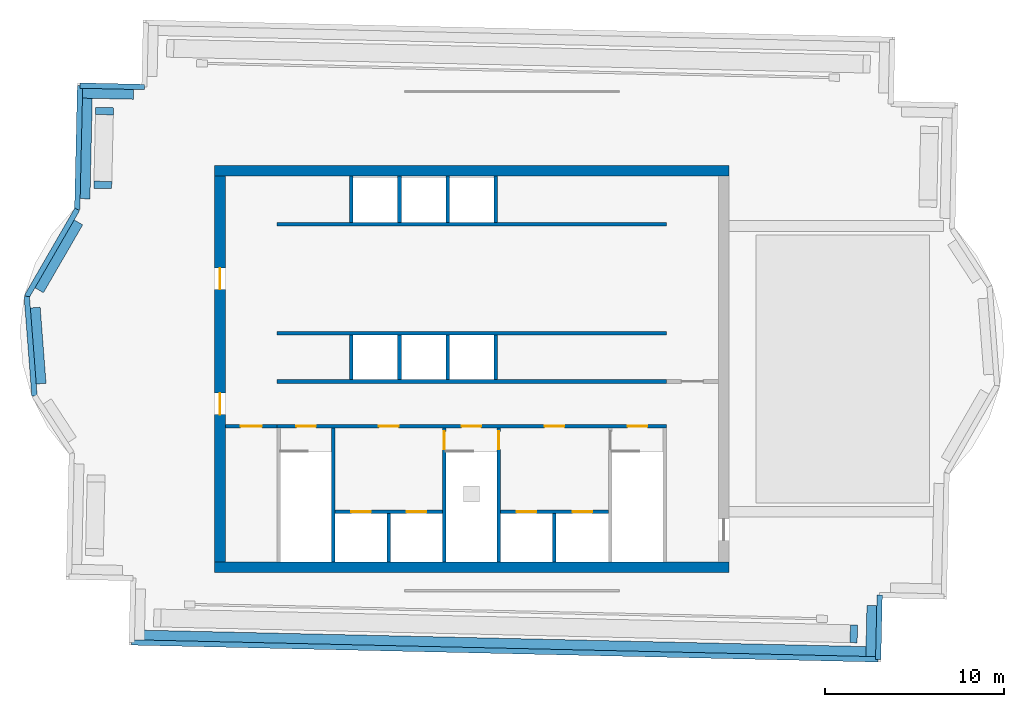
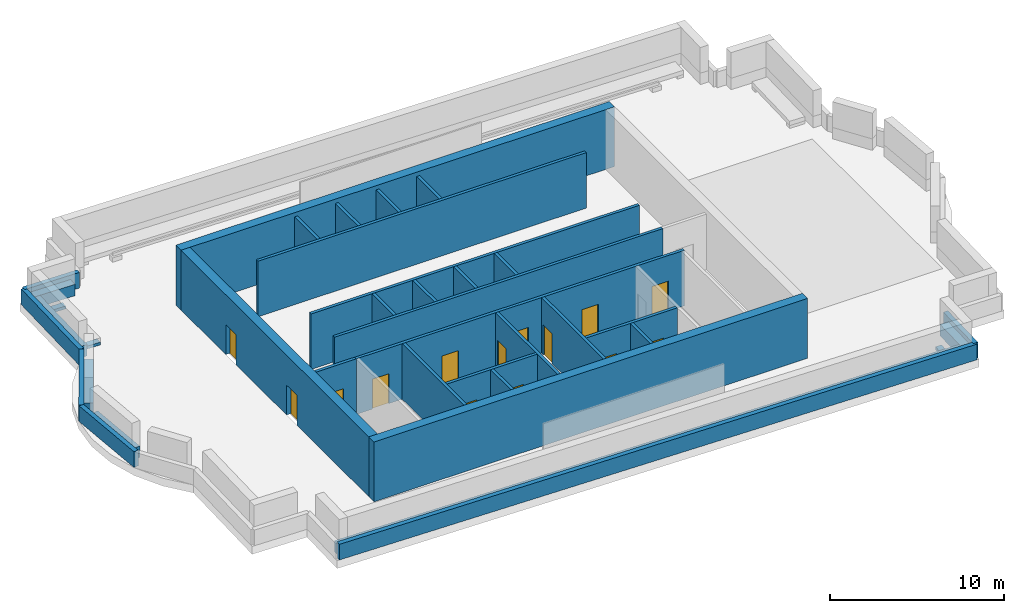
# One storey, part 2 of 4: 38 walls, 14 doors, 14 openings.
"""IFC4 building model written with IfcOpenShell, lengths in metres."""

from ifc_helpers import new_model, si_unit, direction, frame, frame_2d, origin, place, context, subcontext, project, spatial, rectangle, extrude, material, layer, layer_set, type_object, element, fill, save


model = new_model("IFC4")

# Units and contexts
model_context = context("Model", 3, precision=1e-05, world=origin(), true_north=direction((0.0, 1.0)))
body_context = subcontext(model_context, "Body", "Model", "MODEL_VIEW")
ifc_project = project(units=[si_unit("LENGTHUNIT", "METRE"), si_unit("AREAUNIT", "SQUARE_METRE"), si_unit("VOLUMEUNIT", "CUBIC_METRE"), si_unit("PLANEANGLEUNIT", "RADIAN"), si_unit("MASSUNIT", "GRAM", prefix="KILO")], contexts=[model_context])

# Site, building, storey
site_placement = place(None, origin())
site = spatial("IfcSite", under=ifc_project, at=site_placement, CompositionType="ELEMENT")
building_placement = place(site_placement, origin())
building = spatial("IfcBuilding", under=site, at=building_placement, Name="Mangrove Gate Tower", CompositionType="ELEMENT")
storey_placement = place(building_placement, frame((0.0, 0.0, 354.300048828125)))
storey = spatial("IfcBuildingStorey", under=building, at=storey_placement, Name="ROOF", CompositionType="ELEMENT", Elevation=354.300048828125)

# Wall, opening, door
ifc_material_1 = material(Name="Concrete C32/40", Category="concrete")
ifc_layer_1 = layer(ifc_material_1, 0.199951171875)
ifc_layer_set_1 = layer_set([ifc_layer_1], Name="Core lobby wall 200 C32/40")
wall_type_1 = type_object("IfcWallType", Name="Core lobby wall 200 C32/40", PredefinedType="STANDARD", material=ifc_layer_set_1)
wall_1_placement = place(storey_placement, frame((-13.800048828125, -3.199951171875, 0.0), z_axis=(0.0, 0.0, 1.0), x_axis=(1.0, 0.0, 0.0)))
wall_1 = element("IfcWall", 1, at=wall_1_placement, inside=storey, type_object=wall_type_1, Name="WALL-ROOF-CORE-27", PredefinedType="STANDARD", context=body_context, shape_type="SweptSolid", body=[
    extrude(rectangle(XDim=2.900146484375, YDim=0.199951171875, at=frame_2d((1.4501953125, 0.0))), origin(), (0.0, 0.0, 1.0), 3.89990234375),
])
opening_1_placement = place(wall_1_placement, frame((0.85009765625, 0.0, 0.0)))
opening_1 = element("IfcOpeningElement", 2, at=opening_1_placement, cuts=wall_1, Name="Opening FL12", PredefinedType="OPENING", context=body_context, shape_type="SweptSolid", body=[
    extrude(rectangle(XDim=1.199951171875, YDim=2.10009765625, at=frame_2d((0.60009765625, 1.050048828125))), frame((0.0, 0.10986328125, 0.0), z_axis=(0.0, -1.0, 0.0), x_axis=(1.0, 0.0, 0.0)), (0.0, 0.0, 1.0), 0.219970703125),
])
ifc_material_2 = material(Name="Fire-rated steel door set", Category="steel")
door_type_1 = type_object("IfcDoorType", Name="Lobby door FD60 1200x2100", OperationType="SINGLE_SWING_LEFT", PredefinedType="DOOR", material=ifc_material_2)
door_1_placement = place(opening_1_placement, origin())
door_1 = element("IfcDoor", 3, at=door_1_placement, inside=storey, type_object=door_type_1, Name="Lobby door core corridor W partition", OperationType="SINGLE_SWING_LEFT", OverallHeight=2.10009765625, OverallWidth=1.199951171875, PredefinedType="DOOR", context=body_context, shape_type="SweptSolid", body=[
    extrude(rectangle(XDim=1.199951171875, YDim=2.10009765625, at=frame_2d((0.60009765625, 1.050048828125))), frame((0.0, 0.02490234375, 0.0), z_axis=(0.0, -1.0, 0.0), x_axis=(1.0, 0.0, 0.0)), (0.0, 0.0, 1.0), 0.050048828125),
])
fill(opening_1, door_1)

# Walls
ifc_material_3 = material(Name="Concrete C50/60", Category="concrete")
ifc_layer_2 = layer(ifc_material_3, 0.199951171875)
ifc_layer_set_2 = layer_set([ifc_layer_2], Name="Core shaft wall 200 C50/60")
wall_type_2 = type_object("IfcWallType", Name="Core shaft wall 200 C50/60", PredefinedType="SHEAR", material=ifc_layer_set_2)
for number, where, z_axis, x_axis, name in (
    (4, (-10.89990234375, -0.699951171875, 0.0), (0.0, 0.0, 1.0), (1.0, 0.0, 0.0), "WALL-ROOF-CORE-6"),
    (5, (-10.89990234375, 2.0, 0.0), (0.0, 0.0, 1.0), (1.0, 0.0, 0.0), "WALL-ROOF-CORE-7"),
    (6, (-10.89990234375, 8.10009765625, 0.0), (0.0, 0.0, 1.0), (1.0, 0.0, 0.0), "WALL-ROOF-CORE-8"),
):
    element("IfcWall", number, at=place(storey_placement, frame(where, z_axis=z_axis, x_axis=x_axis)), inside=storey, type_object=wall_type_2, Name=name, PredefinedType="SHEAR", context=body_context, shape_type="SweptSolid", body=[
        extrude(rectangle(XDim=21.7998046875, YDim=0.199951171875, at=frame_2d((10.89990234375, 0.0))), origin(), (0.0, 0.0, 1.0), 3.89990234375),
    ])

# Wall, openings, doors
wall_2_placement = place(storey_placement, frame((-7.64990234375, -8.0, 0.0), z_axis=(0.0, 0.0, 1.0), x_axis=(1.0, 0.0, 0.0)))
wall_2 = element("IfcWall", 7, at=wall_2_placement, inside=storey, type_object=wall_type_2, Name="WALL-ROOF-CORE-15", PredefinedType="SHEAR", context=body_context, shape_type="SweptSolid", body=[
    extrude(rectangle(XDim=6.0, YDim=0.199951171875, at=frame_2d((3.0, 0.0))), origin(), (0.0, 0.0, 1.0), 3.89990234375),
])
opening_2_placement = place(wall_2_placement, frame((0.89990234375, 0.0, 0.0)))
opening_2 = element("IfcOpeningElement", 8, at=opening_2_placement, cuts=wall_2, Name="Opening LD", PredefinedType="OPENING", context=body_context, shape_type="SweptSolid", body=[
    extrude(rectangle(XDim=1.10009765625, YDim=2.10009765625, at=frame_2d((0.550048828125, 1.050048828125))), frame((0.0, 0.10986328125, 0.0), z_axis=(0.0, -1.0, 0.0), x_axis=(1.0, 0.0, 0.0)), (0.0, 0.0, 1.0), 0.219970703125),
])
opening_3_placement = place(wall_2_placement, frame((4.0, 0.0, 0.0)))
opening_3 = element("IfcOpeningElement", 9, at=opening_3_placement, cuts=wall_2, Name="Opening LD", PredefinedType="OPENING", context=body_context, shape_type="SweptSolid", body=[
    extrude(rectangle(XDim=1.10009765625, YDim=2.10009765625, at=frame_2d((0.550048828125, 1.050048828125))), frame((0.0, 0.10986328125, 0.0), z_axis=(0.0, -1.0, 0.0), x_axis=(1.0, 0.0, 0.0)), (0.0, 0.0, 1.0), 0.219970703125),
])
ifc_material_4 = material(Name="Stainless steel 316", Category="steel")
door_type_2 = type_object("IfcDoorType", Name="Lift landing door 1100x2100", OperationType="SLIDING_TO_LEFT", PredefinedType="DOOR", material=ifc_material_4)
door_2_placement = place(opening_2_placement, origin())
door_2 = element("IfcDoor", 10, at=door_2_placement, inside=storey, type_object=door_type_2, Name="Landing door LD SVL1", OperationType="SLIDING_TO_LEFT", OverallHeight=2.10009765625, OverallWidth=1.10009765625, PredefinedType="DOOR", context=body_context, shape_type="SweptSolid", body=[
    extrude(rectangle(XDim=1.10009765625, YDim=2.10009765625, at=frame_2d((0.550048828125, 1.050048828125))), frame((0.0, 0.02490234375, 0.0), z_axis=(0.0, -1.0, 0.0), x_axis=(1.0, 0.0, 0.0)), (0.0, 0.0, 1.0), 0.050048828125),
])
fill(opening_2, door_2)
door_3_placement = place(opening_3_placement, origin())
door_3 = element("IfcDoor", 11, at=door_3_placement, inside=storey, type_object=door_type_2, Name="Landing door LD SVL2", OperationType="SLIDING_TO_LEFT", OverallHeight=2.10009765625, OverallWidth=1.10009765625, PredefinedType="DOOR", context=body_context, shape_type="SweptSolid", body=[
    extrude(rectangle(XDim=1.10009765625, YDim=2.10009765625, at=frame_2d((0.550048828125, 1.050048828125))), frame((0.0, 0.02490234375, 0.0), z_axis=(0.0, -1.0, 0.0), x_axis=(1.0, 0.0, 0.0)), (0.0, 0.0, 1.0), 0.050048828125),
])
fill(opening_3, door_3)

# Wall
wall_3_placement = place(storey_placement, frame((-4.64990234375, -10.800048828125, 0.0), z_axis=(0.0, 0.0, 1.0), x_axis=(0.0, 1.0, 0.0)))
element("IfcWall", 12, at=wall_3_placement, inside=storey, type_object=wall_type_2, Name="WALL-ROOF-CORE-16", PredefinedType="SHEAR", context=body_context, shape_type="SweptSolid", body=[
    extrude(rectangle(XDim=2.699951171875, YDim=0.199951171875, at=frame_2d((1.35009765625, 0.0))), origin(), (0.0, 0.0, 1.0), 3.89990234375),
])

# Wall, openings, doors
wall_4_placement = place(storey_placement, frame((1.60009765625, -8.0, 0.0), z_axis=(0.0, 0.0, 1.0), x_axis=(1.0, 0.0, 0.0)))
wall_4 = element("IfcWall", 13, at=wall_4_placement, inside=storey, type_object=wall_type_2, Name="WALL-ROOF-CORE-17", PredefinedType="SHEAR", context=body_context, shape_type="SweptSolid", body=[
    extrude(rectangle(XDim=6.0498046875, YDim=0.199951171875, at=frame_2d((3.02490234375, 0.0))), origin(), (0.0, 0.0, 1.0), 3.89990234375),
])
opening_4_placement = place(wall_4_placement, frame((0.91259765625, 0.0, 0.0)))
opening_4 = element("IfcOpeningElement", 14, at=opening_4_placement, cuts=wall_4, Name="Opening LD", PredefinedType="OPENING", context=body_context, shape_type="SweptSolid", body=[
    extrude(rectangle(XDim=1.10009765625, YDim=2.10009765625, at=frame_2d((0.550048828125, 1.050048828125))), frame((0.0, 0.10986328125, 0.0), z_axis=(0.0, -1.0, 0.0), x_axis=(1.0, 0.0, 0.0)), (0.0, 0.0, 1.0), 0.219970703125),
])
opening_5_placement = place(wall_4_placement, frame((4.03759765625, 0.0, 0.0)))
opening_5 = element("IfcOpeningElement", 15, at=opening_5_placement, cuts=wall_4, Name="Opening LD", PredefinedType="OPENING", context=body_context, shape_type="SweptSolid", body=[
    extrude(rectangle(XDim=1.10009765625, YDim=2.10009765625, at=frame_2d((0.550048828125, 1.050048828125))), frame((0.0, 0.10986328125, 0.0), z_axis=(0.0, -1.0, 0.0), x_axis=(1.0, 0.0, 0.0)), (0.0, 0.0, 1.0), 0.219970703125),
])
door_4_placement = place(opening_4_placement, origin())
door_4 = element("IfcDoor", 16, at=door_4_placement, inside=storey, type_object=door_type_2, Name="Landing door LD FFL1", OperationType="SLIDING_TO_LEFT", OverallHeight=2.10009765625, OverallWidth=1.10009765625, PredefinedType="DOOR", context=body_context, shape_type="SweptSolid", body=[
    extrude(rectangle(XDim=1.10009765625, YDim=2.10009765625, at=frame_2d((0.550048828125, 1.050048828125))), frame((0.0, 0.02490234375, 0.0), z_axis=(0.0, -1.0, 0.0), x_axis=(1.0, 0.0, 0.0)), (0.0, 0.0, 1.0), 0.050048828125),
])
fill(opening_4, door_4)
door_5_placement = place(opening_5_placement, origin())
door_5 = element("IfcDoor", 17, at=door_5_placement, inside=storey, type_object=door_type_2, Name="Landing door LD FFL2", OperationType="SLIDING_TO_LEFT", OverallHeight=2.10009765625, OverallWidth=1.10009765625, PredefinedType="DOOR", context=body_context, shape_type="SweptSolid", body=[
    extrude(rectangle(XDim=1.10009765625, YDim=2.10009765625, at=frame_2d((0.550048828125, 1.050048828125))), frame((0.0, 0.02490234375, 0.0), z_axis=(0.0, -1.0, 0.0), x_axis=(1.0, 0.0, 0.0)), (0.0, 0.0, 1.0), 0.050048828125),
])
fill(opening_5, door_5)

# Walls
wall_5_placement = place(storey_placement, frame((4.625, -10.800048828125, 0.0), z_axis=(0.0, 0.0, 1.0), x_axis=(0.0, 1.0, 0.0)))
element("IfcWall", 18, at=wall_5_placement, inside=storey, type_object=wall_type_2, Name="WALL-ROOF-CORE-18", PredefinedType="SHEAR", context=body_context, shape_type="SweptSolid", body=[
    extrude(rectangle(XDim=2.699951171875, YDim=0.199951171875, at=frame_2d((1.35009765625, 0.0))), origin(), (0.0, 0.0, 1.0), 3.89990234375),
])
for number, where, z_axis, x_axis, name in (
    (19, (-6.75, -0.60009765625, 0.0), (0.0, 0.0, 1.0), (0.0, 1.0, 0.0), "WALL-ROOF-CORE-19"),
    (20, (-4.050048828125, -0.60009765625, 0.0), (0.0, 0.0, 1.0), (0.0, 1.0, 0.0), "WALL-ROOF-CORE-20"),
    (21, (-1.35009765625, -0.60009765625, 0.0), (0.0, 0.0, 1.0), (0.0, 1.0, 0.0), "WALL-ROOF-CORE-21"),
    (22, (1.35009765625, -0.60009765625, 0.0), (0.0, 0.0, 1.0), (0.0, 1.0, 0.0), "WALL-ROOF-CORE-22"),
):
    element("IfcWall", number, at=place(storey_placement, frame(where, z_axis=z_axis, x_axis=x_axis)), inside=storey, type_object=wall_type_2, Name=name, PredefinedType="SHEAR", context=body_context, shape_type="SweptSolid", body=[
        extrude(rectangle(XDim=2.5, YDim=0.199951171875, at=frame_2d((1.25, 0.0))), origin(), (0.0, 0.0, 1.0), 3.89990234375),
    ])
for number, where, z_axis, x_axis, name in (
    (23, (-6.75, 8.199951171875, 0.0), (0.0, 0.0, 1.0), (0.0, 1.0, 0.0), "WALL-ROOF-CORE-23"),
    (24, (-4.050048828125, 8.199951171875, 0.0), (0.0, 0.0, 1.0), (0.0, 1.0, 0.0), "WALL-ROOF-CORE-24"),
    (25, (-1.35009765625, 8.199951171875, 0.0), (0.0, 0.0, 1.0), (0.0, 1.0, 0.0), "WALL-ROOF-CORE-25"),
    (26, (1.35009765625, 8.199951171875, 0.0), (0.0, 0.0, 1.0), (0.0, 1.0, 0.0), "WALL-ROOF-CORE-26"),
):
    element("IfcWall", number, at=place(storey_placement, frame(where, z_axis=z_axis, x_axis=x_axis)), inside=storey, type_object=wall_type_2, Name=name, PredefinedType="SHEAR", context=body_context, shape_type="SweptSolid", body=[
        extrude(rectangle(XDim=2.60009765625, YDim=0.199951171875, at=frame_2d((1.300048828125, 0.0))), origin(), (0.0, 0.0, 1.0), 3.89990234375),
    ])

# Wall, openings, doors
ifc_material_5 = material(Name="Concrete C50/60", Category="concrete")
ifc_layer_3 = layer(ifc_material_5, 0.199951171875)
ifc_layer_set_3 = layer_set([ifc_layer_3], Name="Core stair wall 200 C50/60")
wall_type_3 = type_object("IfcWallType", Name="Core stair wall 200 C50/60", PredefinedType="SHEAR", material=ifc_layer_set_3)
wall_6_placement = place(storey_placement, frame((-10.89990234375, -3.199951171875, 0.0), z_axis=(0.0, 0.0, 1.0), x_axis=(1.0, 0.0, 0.0)))
wall_6 = element("IfcWall", 27, at=wall_6_placement, inside=storey, type_object=wall_type_3, Name="WALL-ROOF-CORE-5", PredefinedType="SHEAR", context=body_context, shape_type="SweptSolid", body=[
    extrude(rectangle(XDim=21.7998046875, YDim=0.199951171875, at=frame_2d((10.89990234375, 0.0))), origin(), (0.0, 0.0, 1.0), 3.89990234375),
])
opening_6_placement = place(wall_6_placement, frame((1.074951171875, 0.0, 0.0)))
opening_6 = element("IfcOpeningElement", 28, at=opening_6_placement, cuts=wall_6, Name="Opening STD11", PredefinedType="OPENING", context=body_context, shape_type="SweptSolid", body=[
    extrude(rectangle(XDim=1.10009765625, YDim=2.10009765625, at=frame_2d((0.550048828125, 1.050048828125))), frame((0.0, 0.10986328125, 0.0), z_axis=(0.0, -1.0, 0.0), x_axis=(1.0, 0.0, 0.0)), (0.0, 0.0, 1.0), 0.219970703125),
])
opening_7_placement = place(wall_6_placement, frame((10.324951171875, 0.0, 0.0)))
opening_7 = element("IfcOpeningElement", 29, at=opening_7_placement, cuts=wall_6, Name="Opening STD11", PredefinedType="OPENING", context=body_context, shape_type="SweptSolid", body=[
    extrude(rectangle(XDim=1.10009765625, YDim=2.10009765625, at=frame_2d((0.550048828125, 1.050048828125))), frame((0.0, 0.10986328125, 0.0), z_axis=(0.0, -1.0, 0.0), x_axis=(1.0, 0.0, 0.0)), (0.0, 0.0, 1.0), 0.219970703125),
])
opening_8_placement = place(wall_6_placement, frame((19.625, 0.0, 0.0)))
opening_8 = element("IfcOpeningElement", 30, at=opening_8_placement, cuts=wall_6, Name="Opening STD11", PredefinedType="OPENING", context=body_context, shape_type="SweptSolid", body=[
    extrude(rectangle(XDim=1.10009765625, YDim=2.10009765625, at=frame_2d((0.550048828125, 1.050048828125))), frame((0.0, 0.10986328125, 0.0), z_axis=(0.0, -1.0, 0.0), x_axis=(1.0, 0.0, 0.0)), (0.0, 0.0, 1.0), 0.219970703125),
])
opening_9_placement = place(wall_6_placement, frame((5.699951171875, 0.0, 0.0)))
opening_9 = element("IfcOpeningElement", 31, at=opening_9_placement, cuts=wall_6, Name="Opening FL", PredefinedType="OPENING", context=body_context, shape_type="SweptSolid", body=[
    extrude(rectangle(XDim=1.10009765625, YDim=2.10009765625, at=frame_2d((0.550048828125, 1.050048828125))), frame((0.0, 0.10986328125, 0.0), z_axis=(0.0, -1.0, 0.0), x_axis=(1.0, 0.0, 0.0)), (0.0, 0.0, 1.0), 0.219970703125),
])
opening_10_placement = place(wall_6_placement, frame((14.97509765625, 0.0, 0.0)))
opening_10 = element("IfcOpeningElement", 32, at=opening_10_placement, cuts=wall_6, Name="Opening FL", PredefinedType="OPENING", context=body_context, shape_type="SweptSolid", body=[
    extrude(rectangle(XDim=1.10009765625, YDim=2.10009765625, at=frame_2d((0.550048828125, 1.050048828125))), frame((0.0, 0.10986328125, 0.0), z_axis=(0.0, -1.0, 0.0), x_axis=(1.0, 0.0, 0.0)), (0.0, 0.0, 1.0), 0.219970703125),
])
ifc_material_6 = material(Name="Fire-rated steel door set", Category="steel")
door_type_3 = type_object("IfcDoorType", Name="Lobby door FD60 1100x2100", OperationType="SINGLE_SWING_LEFT", PredefinedType="DOOR", material=ifc_material_6)
door_6_placement = place(opening_9_placement, origin())
door_6 = element("IfcDoor", 33, at=door_6_placement, inside=storey, type_object=door_type_3, Name="Lobby door service lobby", OperationType="SINGLE_SWING_LEFT", OverallHeight=2.10009765625, OverallWidth=1.10009765625, PredefinedType="DOOR", context=body_context, shape_type="SweptSolid", body=[
    extrude(rectangle(XDim=1.10009765625, YDim=2.10009765625, at=frame_2d((0.550048828125, 1.050048828125))), frame((0.0, 0.02490234375, 0.0), z_axis=(0.0, -1.0, 0.0), x_axis=(1.0, 0.0, 0.0)), (0.0, 0.0, 1.0), 0.050048828125),
])
fill(opening_9, door_6)
door_7_placement = place(opening_10_placement, origin())
door_7 = element("IfcDoor", 34, at=door_7_placement, inside=storey, type_object=door_type_3, Name="Lobby door fire-fighting lobby", OperationType="SINGLE_SWING_LEFT", OverallHeight=2.10009765625, OverallWidth=1.10009765625, PredefinedType="DOOR", context=body_context, shape_type="SweptSolid", body=[
    extrude(rectangle(XDim=1.10009765625, YDim=2.10009765625, at=frame_2d((0.550048828125, 1.050048828125))), frame((0.0, 0.02490234375, 0.0), z_axis=(0.0, -1.0, 0.0), x_axis=(1.0, 0.0, 0.0)), (0.0, 0.0, 1.0), 0.050048828125),
])
fill(opening_10, door_7)
ifc_material_7 = material(Name="Fire-rated steel door set", Category="steel")
door_type_4 = type_object("IfcDoorType", Name="Stair door FD60 1100x2100", OperationType="SINGLE_SWING_RIGHT", PredefinedType="DOOR", material=ifc_material_7)
door_8_placement = place(opening_6_placement, origin())
door_8 = element("IfcDoor", 35, at=door_8_placement, inside=storey, type_object=door_type_4, Name="Stair door Stair 1", OperationType="SINGLE_SWING_RIGHT", OverallHeight=2.10009765625, OverallWidth=1.10009765625, PredefinedType="DOOR", context=body_context, shape_type="SweptSolid", body=[
    extrude(rectangle(XDim=1.10009765625, YDim=2.10009765625, at=frame_2d((0.550048828125, 1.050048828125))), frame((0.0, 0.02490234375, 0.0), z_axis=(0.0, -1.0, 0.0), x_axis=(1.0, 0.0, 0.0)), (0.0, 0.0, 1.0), 0.050048828125),
])
fill(opening_6, door_8)
door_9_placement = place(opening_7_placement, origin())
door_9 = element("IfcDoor", 36, at=door_9_placement, inside=storey, type_object=door_type_4, Name="Stair door Stair 2", OperationType="SINGLE_SWING_RIGHT", OverallHeight=2.10009765625, OverallWidth=1.10009765625, PredefinedType="DOOR", context=body_context, shape_type="SweptSolid", body=[
    extrude(rectangle(XDim=1.10009765625, YDim=2.10009765625, at=frame_2d((0.550048828125, 1.050048828125))), frame((0.0, 0.02490234375, 0.0), z_axis=(0.0, -1.0, 0.0), x_axis=(1.0, 0.0, 0.0)), (0.0, 0.0, 1.0), 0.050048828125),
])
fill(opening_7, door_9)
door_10_placement = place(opening_8_placement, origin())
door_10 = element("IfcDoor", 37, at=door_10_placement, inside=storey, type_object=door_type_4, Name="Stair door Stair 3", OperationType="SINGLE_SWING_RIGHT", OverallHeight=2.10009765625, OverallWidth=1.10009765625, PredefinedType="DOOR", context=body_context, shape_type="SweptSolid", body=[
    extrude(rectangle(XDim=1.10009765625, YDim=2.10009765625, at=frame_2d((0.550048828125, 1.050048828125))), frame((0.0, 0.02490234375, 0.0), z_axis=(0.0, -1.0, 0.0), x_axis=(1.0, 0.0, 0.0)), (0.0, 0.0, 1.0), 0.050048828125),
])
fill(opening_8, door_10)

# Wall
wall_7_placement = place(storey_placement, frame((-7.75, -10.800048828125, 0.0), z_axis=(0.0, 0.0, 1.0), x_axis=(0.0, 1.0, 0.0)))
element("IfcWall", 38, at=wall_7_placement, inside=storey, type_object=wall_type_3, Name="WALL-ROOF-CORE-10", PredefinedType="SHEAR", context=body_context, shape_type="SweptSolid", body=[
    extrude(rectangle(XDim=7.5, YDim=0.199951171875, at=frame_2d((3.75, 0.0))), origin(), (0.0, 0.0, 1.0), 3.89990234375),
])

# Wall, opening, door
wall_8_placement = place(storey_placement, frame((-1.550048828125, -10.800048828125, 0.0), z_axis=(0.0, 0.0, 1.0), x_axis=(0.0, 1.0, 0.0)))
wall_8 = element("IfcWall", 39, at=wall_8_placement, inside=storey, type_object=wall_type_3, Name="WALL-ROOF-CORE-11", PredefinedType="SHEAR", context=body_context, shape_type="SweptSolid", body=[
    extrude(rectangle(XDim=7.5, YDim=0.199951171875, at=frame_2d((3.75, 0.0))), origin(), (0.0, 0.0, 1.0), 3.89990234375),
])
opening_11_placement = place(wall_8_placement, frame((6.300048828125, 0.0, 0.0)))
opening_11 = element("IfcOpeningElement", 40, at=opening_11_placement, cuts=wall_8, Name="Opening STD10", PredefinedType="OPENING", context=body_context, shape_type="SweptSolid", body=[
    extrude(rectangle(XDim=1.0, YDim=2.10009765625, at=frame_2d((0.5, 1.050048828125))), frame((0.0, 0.10986328125, 0.0), z_axis=(0.0, -1.0, 0.0), x_axis=(1.0, 0.0, 0.0)), (0.0, 0.0, 1.0), 0.219970703125),
])
ifc_material_8 = material(Name="Fire-rated steel door set", Category="steel")
door_type_5 = type_object("IfcDoorType", Name="Stair door FD60 1000x2100", OperationType="SINGLE_SWING_RIGHT", PredefinedType="DOOR", material=ifc_material_8)
door_11_placement = place(opening_11_placement, origin())
door_11 = element("IfcDoor", 41, at=door_11_placement, inside=storey, type_object=door_type_5, Name="Stair door Stair 2 from service lobby", OperationType="SINGLE_SWING_RIGHT", OverallHeight=2.10009765625, OverallWidth=1.0, PredefinedType="DOOR", context=body_context, shape_type="SweptSolid", body=[
    extrude(rectangle(XDim=1.0, YDim=2.10009765625, at=frame_2d((0.5, 1.050048828125))), frame((0.0, 0.02490234375, 0.0), z_axis=(0.0, -1.0, 0.0), x_axis=(1.0, 0.0, 0.0)), (0.0, 0.0, 1.0), 0.050048828125),
])
fill(opening_11, door_11)

wall_9_placement = place(storey_placement, frame((1.5, -10.800048828125, 0.0), z_axis=(0.0, 0.0, 1.0), x_axis=(0.0, 1.0, 0.0)))
wall_9 = element("IfcWall", 42, at=wall_9_placement, inside=storey, type_object=wall_type_3, Name="WALL-ROOF-CORE-12", PredefinedType="SHEAR", context=body_context, shape_type="SweptSolid", body=[
    extrude(rectangle(XDim=7.5, YDim=0.199951171875, at=frame_2d((3.75, 0.0))), origin(), (0.0, 0.0, 1.0), 3.89990234375),
])
opening_12_placement = place(wall_9_placement, frame((6.300048828125, 0.0, 0.0)))
opening_12 = element("IfcOpeningElement", 43, at=opening_12_placement, cuts=wall_9, Name="Opening STD10", PredefinedType="OPENING", context=body_context, shape_type="SweptSolid", body=[
    extrude(rectangle(XDim=1.0, YDim=2.10009765625, at=frame_2d((0.5, 1.050048828125))), frame((0.0, 0.10986328125, 0.0), z_axis=(0.0, -1.0, 0.0), x_axis=(1.0, 0.0, 0.0)), (0.0, 0.0, 1.0), 0.219970703125),
])
door_12_placement = place(opening_12_placement, origin())
door_12 = element("IfcDoor", 44, at=door_12_placement, inside=storey, type_object=door_type_5, Name="Stair door Stair 2 from fire-fighting lobby", OperationType="SINGLE_SWING_RIGHT", OverallHeight=2.10009765625, OverallWidth=1.0, PredefinedType="DOOR", context=body_context, shape_type="SweptSolid", body=[
    extrude(rectangle(XDim=1.0, YDim=2.10009765625, at=frame_2d((0.5, 1.050048828125))), frame((0.0, 0.02490234375, 0.0), z_axis=(0.0, -1.0, 0.0), x_axis=(1.0, 0.0, 0.0)), (0.0, 0.0, 1.0), 0.050048828125),
])
fill(opening_12, door_12)

# Walls
ifc_material_9 = material(Name="Concrete C50/60", Category="concrete")
ifc_layer_4 = layer(ifc_material_9, 0.60009765625)
ifc_layer_set_4 = layer_set([ifc_layer_4], Name="Core wall 600 C50/60")
wall_type_4 = type_object("IfcWallType", Name="Core wall 600 C50/60", PredefinedType="SHEAR", material=ifc_layer_set_4)
for number, where, z_axis, x_axis, name in (
    (45, (-14.39990234375, -11.10009765625, 0.0), (0.0, 0.0, 1.0), (1.0, 0.0, 0.0), "WALL-ROOF-CORE-1"),
    (46, (-14.39990234375, 11.10009765625, 0.0), (0.0, 0.0, 1.0), (1.0, 0.0, 0.0), "WALL-ROOF-CORE-2"),
):
    element("IfcWall", number, at=place(storey_placement, frame(where, z_axis=z_axis, x_axis=x_axis)), inside=storey, type_object=wall_type_4, Name=name, PredefinedType="SHEAR", context=body_context, shape_type="SweptSolid", body=[
        extrude(rectangle(XDim=28.7998046875, YDim=0.60009765625, at=frame_2d((14.39990234375, 0.0))), origin(), (0.0, 0.0, 1.0), 4.199951171875),
    ])

# Wall, openings, doors
wall_10_placement = place(storey_placement, frame((-14.10009765625, -10.800048828125, 0.0), z_axis=(0.0, 0.0, 1.0), x_axis=(0.0, 1.0, 0.0)))
wall_10 = element("IfcWall", 47, at=wall_10_placement, inside=storey, type_object=wall_type_4, Name="WALL-ROOF-CORE-3", PredefinedType="SHEAR", context=body_context, shape_type="SweptSolid", body=[
    extrude(rectangle(XDim=21.60009765625, YDim=0.60009765625, at=frame_2d((10.800048828125, 0.0))), origin(), (0.0, 0.0, 1.0), 4.199951171875),
])
opening_13_placement = place(wall_10_placement, frame((8.25, 0.0, 0.0)))
opening_13 = element("IfcOpeningElement", 48, at=opening_13_placement, cuts=wall_10, Name="Opening CD", PredefinedType="OPENING", context=body_context, shape_type="SweptSolid", body=[
    extrude(rectangle(XDim=1.199951171875, YDim=2.10009765625, at=frame_2d((0.60009765625, 1.050048828125))), frame((0.0, 0.31005859375, 0.0), z_axis=(0.0, -1.0, 0.0), x_axis=(1.0, 0.0, 0.0)), (0.0, 0.0, 1.0), 0.6201171875),
])
opening_14_placement = place(wall_10_placement, frame((15.25, 0.0, 0.0)))
opening_14 = element("IfcOpeningElement", 49, at=opening_14_placement, cuts=wall_10, Name="Opening CD", PredefinedType="OPENING", context=body_context, shape_type="SweptSolid", body=[
    extrude(rectangle(XDim=1.199951171875, YDim=2.10009765625, at=frame_2d((0.60009765625, 1.050048828125))), frame((0.0, 0.31005859375, 0.0), z_axis=(0.0, -1.0, 0.0), x_axis=(1.0, 0.0, 0.0)), (0.0, 0.0, 1.0), 0.6201171875),
])
ifc_material_10 = material(Name="Fire-rated steel door set", Category="steel")
door_type_6 = type_object("IfcDoorType", Name="Core ring door FD60 1200x2100", OperationType="DOUBLE_DOOR_SINGLE_SWING", PredefinedType="DOOR", material=ifc_material_10)
door_13_placement = place(opening_13_placement, origin())
door_13 = element("IfcDoor", 50, at=door_13_placement, inside=storey, type_object=door_type_6, Name="Core ring door W1", OperationType="DOUBLE_DOOR_SINGLE_SWING", OverallHeight=2.10009765625, OverallWidth=1.199951171875, PredefinedType="DOOR", context=body_context, shape_type="SweptSolid", body=[
    extrude(rectangle(XDim=1.199951171875, YDim=2.10009765625, at=frame_2d((0.60009765625, 1.050048828125))), frame((0.0, 0.02490234375, 0.0), z_axis=(0.0, -1.0, 0.0), x_axis=(1.0, 0.0, 0.0)), (0.0, 0.0, 1.0), 0.050048828125),
])
fill(opening_13, door_13)
door_14_placement = place(opening_14_placement, origin())
door_14 = element("IfcDoor", 51, at=door_14_placement, inside=storey, type_object=door_type_6, Name="Core ring door W2", OperationType="DOUBLE_DOOR_SINGLE_SWING", OverallHeight=2.10009765625, OverallWidth=1.199951171875, PredefinedType="DOOR", context=body_context, shape_type="SweptSolid", body=[
    extrude(rectangle(XDim=1.199951171875, YDim=2.10009765625, at=frame_2d((0.60009765625, 1.050048828125))), frame((0.0, 0.02490234375, 0.0), z_axis=(0.0, -1.0, 0.0), x_axis=(1.0, 0.0, 0.0)), (0.0, 0.0, 1.0), 0.050048828125),
])
fill(opening_14, door_14)

# Walls
ifc_material_11 = material(Name="Limestone", Category="masonry")
ifc_layer_5 = layer(ifc_material_11, 0.0400390625, Name="Limestone cladding")
ifc_material_12 = material(Name="Ventilated air gap")
ifc_layer_6 = layer(ifc_material_12, 0.030029296875, Name="Ventilated cavity")
ifc_material_13 = material(Name="Mineral wool insulation")
ifc_layer_7 = layer(ifc_material_13, 0.050048828125, Name="Insulation")
ifc_material_14 = material(Name="Concrete C32/40", Category="concrete")
ifc_layer_8 = layer(ifc_material_14, 0.179931640625, Name="Parapet core wall")
ifc_layer_set_5 = layer_set([ifc_layer_5, ifc_layer_6, ifc_layer_7, ifc_layer_8], Name="Parapet 300 limestone")
wall_type_5 = type_object("IfcWallType", Name="Parapet 300 limestone", PredefinedType="PARAPET", material=ifc_layer_set_5)
wall_11_placement = place(storey_placement, frame((-18.333984375, 15.782958984375, 0.0), z_axis=(0.0, 0.0, 1.0), x_axis=(-0.999740363001, 0.02278610514, 0.0)))
element("IfcWall", 52, at=wall_11_placement, inside=storey, type_object=wall_type_5, Name="WALL-ROOF-PARN7", PredefinedType="PARAPET", context=body_context, shape_type="SweptSolid", body=[
    extrude(rectangle(XDim=3.60009765625, YDim=0.300048828125, at=frame_2d((1.800048828125, 0.0))), origin(), (0.0, 0.0, 1.0), 1.099853515625),
])
wall_12_placement = place(storey_placement, frame((-21.93310546875, 15.864990234375, 0.0), z_axis=(0.0, 0.0, 1.0), x_axis=(-0.022653381007, -0.999743379237, 0.0)))
element("IfcWall", 53, at=wall_12_placement, inside=storey, type_object=wall_type_5, Name="WALL-ROOF-PARW8", PredefinedType="PARAPET", context=body_context, shape_type="SweptSolid", body=[
    extrude(rectangle(XDim=6.9296875, YDim=0.300048828125, at=frame_2d((3.46484375, 0.0))), origin(), (0.0, 0.0, 1.0), 1.099853515625),
])
wall_13_placement = place(storey_placement, frame((-22.090087890625, 8.93701171875, 0.0), z_axis=(0.0, 0.0, 1.0), x_axis=(-0.500425402898, -0.865779657958, 0.0)))
element("IfcWall", 54, at=wall_13_placement, inside=storey, type_object=wall_type_5, Name="WALL-ROOF-PARW9f1", PredefinedType="PARAPET", context=body_context, shape_type="SweptSolid", body=[
    extrude(rectangle(XDim=5.64111328125, YDim=0.300048828125, at=frame_2d((2.820556640625, 0.0))), origin(), (0.0, 0.0, 1.0), 1.099853515625),
])
wall_14_placement = place(storey_placement, frame((-24.9130859375, 4.052978515625, 0.0), z_axis=(0.0, 0.0, 1.0), x_axis=(0.077008021266, -0.997030473286, 0.0)))
element("IfcWall", 55, at=wall_14_placement, inside=storey, type_object=wall_type_5, Name="WALL-ROOF-PARW9f2", PredefinedType="PARAPET", context=body_context, shape_type="SweptSolid", body=[
    extrude(rectangle(XDim=5.573486328125, YDim=0.300048828125, at=frame_2d((2.78662109375, 0.0))), origin(), (0.0, 0.0, 1.0), 1.099853515625),
])
wall_15_placement = place(storey_placement, frame((-19.0390625, -15.30908203125, 0.0), z_axis=(0.0, 0.0, 1.0), x_axis=(0.999742787513, -0.022679480066, 0.0)))
element("IfcWall", 56, at=wall_15_placement, inside=storey, type_object=wall_type_5, Name="WALL-ROOF-PARS13", PredefinedType="PARAPET", context=body_context, shape_type="SweptSolid", body=[
    extrude(rectangle(XDim=41.7998046875, YDim=0.300048828125, at=frame_2d((20.89990234375, 0.0))), origin(), (0.0, 0.0, 1.0), 1.099853515625),
])
wall_16_placement = place(storey_placement, frame((22.75, -16.257080078125, 0.0), z_axis=(0.0, 0.0, 1.0), x_axis=(0.02278610514, 0.999740363001, 0.0)))
element("IfcWall", 57, at=wall_16_placement, inside=storey, type_object=wall_type_5, Name="WALL-ROOF-PARE14", PredefinedType="PARAPET", context=body_context, shape_type="SweptSolid", body=[
    extrude(rectangle(XDim=3.60009765625, YDim=0.300048828125, at=frame_2d((1.800048828125, 0.0))), origin(), (0.0, 0.0, 1.0), 1.099853515625),
])
ifc_layer_9 = layer(ifc_material_14, 0.199951171875, Name="Planter trough wall")
ifc_material_15 = material(Name="Bituminous waterproofing membrane")
ifc_layer_10 = layer(ifc_material_15, 0.0048828125, Name="Waterproofing")
ifc_material_16 = material(Name="Drainage board and gravel")
ifc_layer_11 = layer(ifc_material_16, 0.044921875, Name="Drainage layer")
ifc_material_17 = material(Name="Planting soil")
ifc_layer_12 = layer(ifc_material_17, 0.300048828125, Name="Growing medium")
ifc_layer_set_6 = layer_set([ifc_layer_9, ifc_layer_10, ifc_layer_11, ifc_layer_12], Name="Planter wall 550 C32/40")
wall_type_6 = type_object("IfcWallType", Name="Planter wall 550 C32/40", PredefinedType="USERDEFINED", material=ifc_layer_set_6)
wall_17_placement = place(storey_placement, frame((-18.943115234375, 15.3720703125, 0.0), z_axis=(0.0, 0.0, 1.0), x_axis=(-0.999748207052, 0.022439306969, 0.0)))
element("IfcWall", 58, at=wall_17_placement, inside=storey, type_object=wall_type_6, Name="PLANTER ROOF N7", ObjectType="PLANTER", PredefinedType="USERDEFINED", context=body_context, shape_type="SweptSolid", body=[
    extrude(rectangle(XDim=2.8505859375, YDim=0.550048828125, at=frame_2d((1.42529296875, 0.0))), origin(), (0.0, 0.0, 1.0), 0.800048828125),
])
wall_18_placement = place(storey_placement, frame((-21.510986328125, 15.705078125, 0.0), z_axis=(0.0, 0.0, 1.0), x_axis=(-0.022641520503, -0.999743647916, 0.0)))
element("IfcWall", 59, at=wall_18_placement, inside=storey, type_object=wall_type_6, Name="PLANTER ROOF W8", ObjectType="PLANTER", PredefinedType="USERDEFINED", context=body_context, shape_type="SweptSolid", body=[
    extrude(rectangle(XDim=6.178466796875, YDim=0.550048828125, at=frame_2d((3.08935546875, 0.0))), origin(), (0.0, 0.0, 1.0), 0.800048828125),
])
wall_19_placement = place(storey_placement, frame((-22.02197265625, 8.2060546875, 0.0), z_axis=(0.0, 0.0, 1.0), x_axis=(-0.500330395911, -0.865834565565, 0.0)))
element("IfcWall", 60, at=wall_19_placement, inside=storey, type_object=wall_type_6, Name="PLANTER ROOF W9f1", ObjectType="PLANTER", PredefinedType="USERDEFINED", context=body_context, shape_type="SweptSolid", body=[
    extrude(rectangle(XDim=4.39111328125, YDim=0.550048828125, at=frame_2d((2.195556640625, 0.0))), origin(), (0.0, 0.0, 1.0), 0.800048828125),
])
wall_20_placement = place(storey_placement, frame((-24.43896484375, 3.43701171875, 0.0), z_axis=(0.0, 0.0, 1.0), x_axis=(0.076967406266, -0.99703360945, 0.0)))
element("IfcWall", 61, at=wall_20_placement, inside=storey, type_object=wall_type_6, Name="PLANTER ROOF W9f2", ObjectType="PLANTER", PredefinedType="USERDEFINED", context=body_context, shape_type="SweptSolid", body=[
    extrude(rectangle(XDim=4.272705078125, YDim=0.550048828125, at=frame_2d((2.13623046875, 0.0))), origin(), (0.0, 0.0, 1.0), 0.800048828125),
])
wall_21_placement = place(storey_placement, frame((-18.87890625, -14.886962890625, 0.0), z_axis=(0.0, 0.0, 1.0), x_axis=(0.999742269674, -0.022702295639, 0.0)))
element("IfcWall", 62, at=wall_21_placement, inside=storey, type_object=wall_type_6, Name="PLANTER ROOF S13", ObjectType="PLANTER", PredefinedType="USERDEFINED", context=body_context, shape_type="SweptSolid", body=[
    extrude(rectangle(XDim=41.499755859375, YDim=0.550048828125, at=frame_2d((20.75, 0.0))), origin(), (0.0, 0.0, 1.0), 0.800048828125),
])
wall_22_placement = place(storey_placement, frame((22.3291015625, -16.096923828125, 0.0), z_axis=(0.0, 0.0, 1.0), x_axis=(0.022446995032, 0.999748034464, 0.0)))
element("IfcWall", 63, at=wall_22_placement, inside=storey, type_object=wall_type_6, Name="PLANTER ROOF E14", ObjectType="PLANTER", PredefinedType="USERDEFINED", context=body_context, shape_type="SweptSolid", body=[
    extrude(rectangle(XDim=2.849609375, YDim=0.550048828125, at=frame_2d((1.4248046875, 0.0))), origin(), (0.0, 0.0, 1.0), 0.800048828125),
])
wall_23_placement = place(storey_placement, frame((-20.56005859375, 14.634033203125, 0.0), z_axis=(0.0, 0.0, 1.0), x_axis=(-0.022568990636, -0.999745287892, 0.0)))
element("IfcWall", 64, at=wall_23_placement, inside=storey, type_object=wall_type_6, Name="PLANTING BED PLINTH ROOF 3.1", ObjectType="PLANTER", PredefinedType="USERDEFINED", context=body_context, shape_type="SweptSolid", body=[
    extrude(rectangle(XDim=0.400146484375, YDim=1.0, at=frame_2d((0.2001953125, 0.0))), origin(), (0.0, 0.0, 1.0), 0.199951171875),
])
wall_24_placement = place(storey_placement, frame((-20.654052734375, 10.5048828125, 0.0), z_axis=(0.0, 0.0, 1.0), x_axis=(-0.022582761994, -0.999744976912, 0.0)))
element("IfcWall", 65, at=wall_24_placement, inside=storey, type_object=wall_type_6, Name="PLANTING BED PLINTH ROOF 3.2", ObjectType="PLANTER", PredefinedType="USERDEFINED", context=body_context, shape_type="SweptSolid", body=[
    extrude(rectangle(XDim=0.39990234375, YDim=1.0, at=frame_2d((0.199951171875, 0.0))), origin(), (0.0, 0.0, 1.0), 0.199951171875),
])
wall_25_placement = place(storey_placement, frame((21.181884765625, -14.821044921875, 0.0), z_axis=(0.0, 0.0, 1.0), x_axis=(0.999745287892, -0.022568990636, 0.0)))
element("IfcWall", 66, at=wall_25_placement, inside=storey, type_object=wall_type_6, Name="PLANTING BED PLINTH ROOF 5.2", ObjectType="PLANTER", PredefinedType="USERDEFINED", context=body_context, shape_type="SweptSolid", body=[
    extrude(rectangle(XDim=0.400146484375, YDim=1.0, at=frame_2d((0.2001953125, 0.0))), origin(), (0.0, 0.0, 1.0), 0.199951171875),
])

save(model, "model.ifc")
